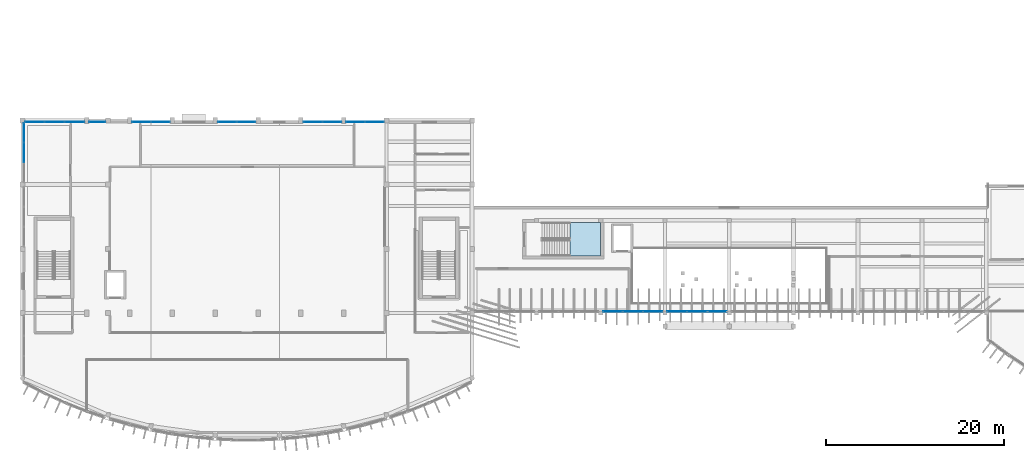
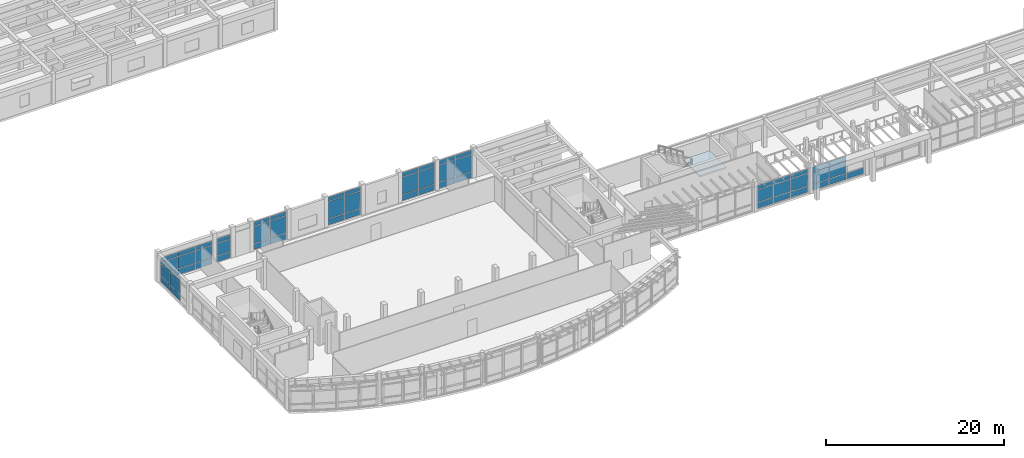
# One storey, part 30 of 60: 58 plates, 1 slab, 10 elements without a shape of their own.
"""IFC4 building model written with IfcOpenShell, lengths in metres."""

from ifc_helpers import new_model, si_unit, direction, frame, origin, origin_2d, place, context, subcontext, project, spatial, polyline, rectangle, outline, extrude, material, layer, layer_set, type_object, element, aggregate, save


model = new_model("IFC4")

# Units and contexts
model_context = context("Model", 3, precision=1e-05, world=origin(), true_north=direction((0.0, 1.0)))
body_context = subcontext(model_context, "Body", "Model", "MODEL_VIEW")
ifc_project = project(units=[si_unit("LENGTHUNIT", "METRE"), si_unit("AREAUNIT", "SQUARE_METRE"), si_unit("VOLUMEUNIT", "CUBIC_METRE"), si_unit("PLANEANGLEUNIT", "RADIAN"), si_unit("MASSUNIT", "GRAM", prefix="KILO")], contexts=[model_context])

# Site, building, storey
site_placement = place(None, origin())
site = spatial("IfcSite", under=ifc_project, at=site_placement, CompositionType="ELEMENT")
building_placement = place(site_placement, origin())
building = spatial("IfcBuilding", under=site, at=building_placement, Name="Brisavento Harbour Community Centre", CompositionType="ELEMENT")
storey_placement = place(building_placement, frame((0.0, 0.0, 4.5)))
storey = spatial("IfcBuildingStorey", under=building, at=storey_placement, Name="L01", CompositionType="ELEMENT", Elevation=4.5)

# Curtain wall, plates
ifc_material_1 = material(Name="Marine-anodised aluminium AW-6063-T6", Category="aluminium")
ifc_layer_1 = layer(ifc_material_1, 0.179931640625, Name="Marine-anodised aluminium AW-6063-T6")
ifc_layer_set_1 = layer_set([ifc_layer_1], Name="Marine-anodised aluminium AW-6063-T6")
curtain_wall_type_1 = type_object("IfcCurtainWallType", Name="CW-SYS-13", PredefinedType="USERDEFINED", material=ifc_layer_set_1)
curtain_wall_1_placement = place(storey_placement, origin())
curtain_wall_1 = element("IfcCurtainWall", 1, at=curtain_wall_1_placement, inside=storey, type_object=curtain_wall_type_1, Name="L01 V1 unitised curtain wall 041", ObjectType="UNITISED CURTAIN WALL", PredefinedType="USERDEFINED")
ifc_material_2 = material(Name="Solar-control laminated low-E glass", Category="glass")
ifc_layer_2 = layer(ifc_material_2, 0.02392578125, Name="Solar-control laminated low-E glass")
ifc_layer_set_2 = layer_set([ifc_layer_2], Name="Solar-control laminated low-E glass")
plate_type_1 = type_object("IfcPlateType", Name="CWP-GLZ-1", PredefinedType="CURTAIN_PANEL", material=ifc_layer_set_2)
plate_1_placement = place(storey_placement, frame((1.393798828125, 35.820068359375, 0.06494140625), z_axis=(0.0, 0.0, 1.0), x_axis=(1.0, 0.0, 0.0)))
plate_1 = element("IfcPlate", 2, at=plate_1_placement, type_object=plate_type_1, Name="CW-13 panel 1.1", PredefinedType="CURTAIN_PANEL", context=body_context, shape_type="SweptSolid", body=[
    extrude(rectangle(XDim=2.137451171875, YDim=0.02392578125, at=origin_2d()), origin(), (0.0, 0.0, 1.0), 0.802490234375),
])
plate_2_placement = place(storey_placement, frame((1.393798828125, 35.820068359375, 0.9326171875), z_axis=(0.0, 0.0, 1.0), x_axis=(1.0, 0.0, 0.0)))
plate_2 = element("IfcPlate", 3, at=plate_2_placement, type_object=plate_type_1, Name="CW-13 panel 1.2", PredefinedType="CURTAIN_PANEL", context=body_context, shape_type="SweptSolid", body=[
    extrude(rectangle(XDim=2.137451171875, YDim=0.02392578125, at=origin_2d()), origin(), (0.0, 0.0, 1.0), 1.635009765625),
])
plate_3_placement = place(storey_placement, frame((1.393798828125, 35.820068359375, 2.63232421875), z_axis=(0.0, 0.0, 1.0), x_axis=(1.0, 0.0, 0.0)))
plate_3 = element("IfcPlate", 4, at=plate_3_placement, type_object=plate_type_1, Name="CW-13 panel 1.3", PredefinedType="CURTAIN_PANEL", context=body_context, shape_type="SweptSolid", body=[
    extrude(rectangle(XDim=2.137451171875, YDim=0.02392578125, at=origin_2d()), origin(), (0.0, 0.0, 1.0), 0.552490234375),
])
plate_4_placement = place(storey_placement, frame((3.612548828125, 35.820068359375, 0.06494140625), z_axis=(0.0, 0.0, 1.0), x_axis=(1.0, 0.0, 0.0)))
plate_4 = element("IfcPlate", 5, at=plate_4_placement, type_object=plate_type_1, Name="CW-13 panel 2.1", PredefinedType="CURTAIN_PANEL", context=body_context, shape_type="SweptSolid", body=[
    extrude(rectangle(XDim=2.169921875, YDim=0.02392578125, at=origin_2d()), origin(), (0.0, 0.0, 1.0), 0.802490234375),
])
plate_5_placement = place(storey_placement, frame((3.612548828125, 35.820068359375, 0.9326171875), z_axis=(0.0, 0.0, 1.0), x_axis=(1.0, 0.0, 0.0)))
plate_5 = element("IfcPlate", 6, at=plate_5_placement, type_object=plate_type_1, Name="CW-13 panel 2.2", PredefinedType="CURTAIN_PANEL", context=body_context, shape_type="SweptSolid", body=[
    extrude(rectangle(XDim=2.169921875, YDim=0.02392578125, at=origin_2d()), origin(), (0.0, 0.0, 1.0), 1.635009765625),
])
plate_6_placement = place(storey_placement, frame((3.612548828125, 35.820068359375, 2.63232421875), z_axis=(0.0, 0.0, 1.0), x_axis=(1.0, 0.0, 0.0)))
plate_6 = element("IfcPlate", 7, at=plate_6_placement, type_object=plate_type_1, Name="CW-13 panel 2.3", PredefinedType="CURTAIN_PANEL", context=body_context, shape_type="SweptSolid", body=[
    extrude(rectangle(XDim=2.169921875, YDim=0.02392578125, at=origin_2d()), origin(), (0.0, 0.0, 1.0), 0.552490234375),
])
plate_7_placement = place(storey_placement, frame((5.831298828125, 35.820068359375, 0.06494140625), z_axis=(0.0, 0.0, 1.0), x_axis=(1.0, 0.0, 0.0)))
plate_7 = element("IfcPlate", 8, at=plate_7_placement, type_object=plate_type_1, Name="CW-13 panel 3.1", PredefinedType="CURTAIN_PANEL", context=body_context, shape_type="SweptSolid", body=[
    extrude(rectangle(XDim=2.137451171875, YDim=0.02392578125, at=origin_2d()), origin(), (0.0, 0.0, 1.0), 0.802490234375),
])
plate_8_placement = place(storey_placement, frame((5.831298828125, 35.820068359375, 0.9326171875), z_axis=(0.0, 0.0, 1.0), x_axis=(1.0, 0.0, 0.0)))
plate_8 = element("IfcPlate", 9, at=plate_8_placement, type_object=plate_type_1, Name="CW-13 panel 3.2", PredefinedType="CURTAIN_PANEL", context=body_context, shape_type="SweptSolid", body=[
    extrude(rectangle(XDim=2.137451171875, YDim=0.02392578125, at=origin_2d()), origin(), (0.0, 0.0, 1.0), 1.635009765625),
])
plate_9_placement = place(storey_placement, frame((5.831298828125, 35.820068359375, 2.63232421875), z_axis=(0.0, 0.0, 1.0), x_axis=(1.0, 0.0, 0.0)))
plate_9 = element("IfcPlate", 10, at=plate_9_placement, type_object=plate_type_1, Name="CW-13 panel 3.3", PredefinedType="CURTAIN_PANEL", context=body_context, shape_type="SweptSolid", body=[
    extrude(rectangle(XDim=2.137451171875, YDim=0.02392578125, at=origin_2d()), origin(), (0.0, 0.0, 1.0), 0.552490234375),
])
aggregate(curtain_wall_1, [plate_1, plate_2, plate_3, plate_4, plate_5, plate_6, plate_7, plate_8, plate_9])

ifc_layer_3 = layer(ifc_material_1, 0.179931640625, Name="Marine-anodised aluminium AW-6063-T6")
ifc_layer_set_3 = layer_set([ifc_layer_3], Name="Marine-anodised aluminium AW-6063-T6")
curtain_wall_type_2 = type_object("IfcCurtainWallType", Name="CW-SYS-18", PredefinedType="USERDEFINED", material=ifc_layer_set_3)
curtain_wall_2_placement = place(storey_placement, origin())
curtain_wall_2 = element("IfcCurtainWall", 11, at=curtain_wall_2_placement, inside=storey, type_object=curtain_wall_type_2, Name="L01 V1 unitised curtain wall 046", ObjectType="UNITISED CURTAIN WALL", PredefinedType="USERDEFINED")
plate_10_placement = place(storey_placement, frame((37.328857421875, 35.820068359375, 0.070068359375), z_axis=(0.0, 0.0, 1.0), x_axis=(1.0, 0.0, 0.0)))
plate_10 = element("IfcPlate", 12, at=plate_10_placement, type_object=plate_type_1, Name="CW-18 panel 1.1", PredefinedType="CURTAIN_PANEL", context=body_context, shape_type="SweptSolid", body=[
    extrude(rectangle(XDim=2.047607421875, YDim=0.02392578125, at=origin_2d()), origin(), (0.0, 0.0, 1.0), 0.794921875),
])
plate_11_placement = place(storey_placement, frame((37.328857421875, 35.820068359375, 0.93505859375), z_axis=(0.0, 0.0, 1.0), x_axis=(1.0, 0.0, 0.0)))
plate_11 = element("IfcPlate", 13, at=plate_11_placement, type_object=plate_type_1, Name="CW-18 panel 1.2", PredefinedType="CURTAIN_PANEL", context=body_context, shape_type="SweptSolid", body=[
    extrude(rectangle(XDim=2.047607421875, YDim=0.02392578125, at=origin_2d()), origin(), (0.0, 0.0, 1.0), 2.330078125),
])
plate_12_placement = place(storey_placement, frame((37.328857421875, 35.820068359375, 3.3349609375), z_axis=(0.0, 0.0, 1.0), x_axis=(1.0, 0.0, 0.0)))
plate_12 = element("IfcPlate", 14, at=plate_12_placement, type_object=plate_type_1, Name="CW-18 panel 1.3", PredefinedType="CURTAIN_PANEL", context=body_context, shape_type="SweptSolid", body=[
    extrude(rectangle(XDim=2.047607421875, YDim=0.02392578125, at=origin_2d()), origin(), (0.0, 0.0, 1.0), 0.544921875),
])
plate_13_placement = place(storey_placement, frame((39.4462890625, 35.820068359375, 0.070068359375), z_axis=(0.0, 0.0, 1.0), x_axis=(1.0, 0.0, 0.0)))
plate_13 = element("IfcPlate", 15, at=plate_13_placement, type_object=plate_type_1, Name="CW-18 panel 2.1", PredefinedType="CURTAIN_PANEL", context=body_context, shape_type="SweptSolid", body=[
    extrude(rectangle(XDim=2.047607421875, YDim=0.02392578125, at=origin_2d()), origin(), (0.0, 0.0, 1.0), 0.794921875),
])
plate_14_placement = place(storey_placement, frame((39.4462890625, 35.820068359375, 0.93505859375), z_axis=(0.0, 0.0, 1.0), x_axis=(1.0, 0.0, 0.0)))
plate_14 = element("IfcPlate", 16, at=plate_14_placement, type_object=plate_type_1, Name="CW-18 panel 2.2", PredefinedType="CURTAIN_PANEL", context=body_context, shape_type="SweptSolid", body=[
    extrude(rectangle(XDim=2.047607421875, YDim=0.02392578125, at=origin_2d()), origin(), (0.0, 0.0, 1.0), 2.330078125),
])
plate_15_placement = place(storey_placement, frame((39.4462890625, 35.820068359375, 3.3349609375), z_axis=(0.0, 0.0, 1.0), x_axis=(1.0, 0.0, 0.0)))
plate_15 = element("IfcPlate", 17, at=plate_15_placement, type_object=plate_type_1, Name="CW-18 panel 2.3", PredefinedType="CURTAIN_PANEL", context=body_context, shape_type="SweptSolid", body=[
    extrude(rectangle(XDim=2.047607421875, YDim=0.02392578125, at=origin_2d()), origin(), (0.0, 0.0, 1.0), 0.544921875),
])
aggregate(curtain_wall_2, [plate_10, plate_11, plate_12, plate_13, plate_14, plate_15])

ifc_layer_4 = layer(ifc_material_1, 0.179931640625, Name="Marine-anodised aluminium AW-6063-T6")
ifc_layer_set_4 = layer_set([ifc_layer_4], Name="Marine-anodised aluminium AW-6063-T6")
curtain_wall_type_3 = type_object("IfcCurtainWallType", Name="CW-SYS-14", PredefinedType="USERDEFINED", material=ifc_layer_set_4)
curtain_wall_3_placement = place(storey_placement, origin())
curtain_wall_3 = element("IfcCurtainWall", 18, at=curtain_wall_3_placement, inside=storey, type_object=curtain_wall_type_3, Name="L01 V1 unitised curtain wall 042", ObjectType="UNITISED CURTAIN WALL", PredefinedType="USERDEFINED")
ifc_layer_5 = layer(ifc_material_2, 0.028076171875, Name="Solar-control laminated low-E glass")
ifc_layer_set_5 = layer_set([ifc_layer_5], Name="Solar-control laminated low-E glass")
plate_type_2 = type_object("IfcPlateType", Name="CWP-GLZ-2", PredefinedType="CURTAIN_PANEL", material=ifc_layer_set_5)
plate_16_placement = place(storey_placement, frame((8.387451171875, 35.820068359375, 0.070068359375), z_axis=(0.0, 0.0, 1.0), x_axis=(1.0, 0.0, 0.0)))
plate_16 = element("IfcPlate", 19, at=plate_16_placement, type_object=plate_type_2, Name="CW-14 panel 1.1", PredefinedType="CURTAIN_PANEL", context=body_context, shape_type="SweptSolid", body=[
    extrude(rectangle(XDim=1.764892578125, YDim=0.028076171875, at=origin_2d()), origin(), (0.0, 0.0, 1.0), 0.794921875),
])
plate_17_placement = place(storey_placement, frame((8.387451171875, 35.820068359375, 0.93505859375), z_axis=(0.0, 0.0, 1.0), x_axis=(1.0, 0.0, 0.0)))
plate_17 = element("IfcPlate", 20, at=plate_17_placement, type_object=plate_type_2, Name="CW-14 panel 1.2", PredefinedType="CURTAIN_PANEL", context=body_context, shape_type="SweptSolid", body=[
    extrude(rectangle(XDim=1.764892578125, YDim=0.028076171875, at=origin_2d()), origin(), (0.0, 0.0, 1.0), 1.679931640625),
])
plate_18_placement = place(storey_placement, frame((8.387451171875, 35.820068359375, 2.68505859375), z_axis=(0.0, 0.0, 1.0), x_axis=(1.0, 0.0, 0.0)))
plate_18 = element("IfcPlate", 21, at=plate_18_placement, type_object=plate_type_2, Name="CW-14 panel 1.3", PredefinedType="CURTAIN_PANEL", context=body_context, shape_type="SweptSolid", body=[
    extrude(rectangle(XDim=1.764892578125, YDim=0.028076171875, at=origin_2d()), origin(), (0.0, 0.0, 1.0), 0.544921875),
])
aggregate(curtain_wall_3, [plate_16, plate_17, plate_18])

ifc_layer_6 = layer(ifc_material_1, 0.179931640625, Name="Marine-anodised aluminium AW-6063-T6")
ifc_layer_set_6 = layer_set([ifc_layer_6], Name="Marine-anodised aluminium AW-6063-T6")
curtain_wall_type_4 = type_object("IfcCurtainWallType", Name="CW-SYS-15", PredefinedType="USERDEFINED", material=ifc_layer_set_6)
curtain_wall_4_placement = place(storey_placement, origin())
curtain_wall_4 = element("IfcCurtainWall", 22, at=curtain_wall_4_placement, inside=storey, type_object=curtain_wall_type_4, Name="L01 V1 unitised curtain wall 043", ObjectType="UNITISED CURTAIN WALL", PredefinedType="USERDEFINED")
ifc_layer_7 = layer(ifc_material_2, 0.031982421875, Name="Solar-control laminated low-E glass")
ifc_layer_set_7 = layer_set([ifc_layer_7], Name="Solar-control laminated low-E glass")
plate_type_3 = type_object("IfcPlateType", Name="CWP-GLZ-3", PredefinedType="CURTAIN_PANEL", material=ifc_layer_set_7)
plate_19_placement = place(storey_placement, frame((13.336181640625, 35.820068359375, 0.074951171875), z_axis=(0.0, 0.0, 1.0), x_axis=(1.0, 0.0, 0.0)))
plate_19 = element("IfcPlate", 23, at=plate_19_placement, type_object=plate_type_3, Name="CW-15 panel 1.1", PredefinedType="CURTAIN_PANEL", context=body_context, shape_type="SweptSolid", body=[
    extrude(rectangle(XDim=2.052490234375, YDim=0.031982421875, at=origin_2d()), origin(), (0.0, 0.0, 1.0), 0.78759765625),
])
plate_20_placement = place(storey_placement, frame((13.336181640625, 35.820068359375, 0.9375), z_axis=(0.0, 0.0, 1.0), x_axis=(1.0, 0.0, 0.0)))
plate_20 = element("IfcPlate", 24, at=plate_20_placement, type_object=plate_type_3, Name="CW-15 panel 1.2", PredefinedType="CURTAIN_PANEL", context=body_context, shape_type="SweptSolid", body=[
    extrude(rectangle(XDim=2.052490234375, YDim=0.031982421875, at=origin_2d()), origin(), (0.0, 0.0, 1.0), 2.324951171875),
])
plate_21_placement = place(storey_placement, frame((13.336181640625, 35.820068359375, 3.33740234375), z_axis=(0.0, 0.0, 1.0), x_axis=(1.0, 0.0, 0.0)))
plate_21 = element("IfcPlate", 25, at=plate_21_placement, type_object=plate_type_3, Name="CW-15 panel 1.3", PredefinedType="CURTAIN_PANEL", context=body_context, shape_type="SweptSolid", body=[
    extrude(rectangle(XDim=2.052490234375, YDim=0.031982421875, at=origin_2d()), origin(), (0.0, 0.0, 1.0), 0.53759765625),
])
plate_22_placement = place(storey_placement, frame((15.4638671875, 35.820068359375, 0.074951171875), z_axis=(0.0, 0.0, 1.0), x_axis=(1.0, 0.0, 0.0)))
plate_22 = element("IfcPlate", 26, at=plate_22_placement, type_object=plate_type_3, Name="CW-15 panel 2.1", PredefinedType="CURTAIN_PANEL", context=body_context, shape_type="SweptSolid", body=[
    extrude(rectangle(XDim=2.052490234375, YDim=0.031982421875, at=origin_2d()), origin(), (0.0, 0.0, 1.0), 0.78759765625),
])
plate_23_placement = place(storey_placement, frame((15.4638671875, 35.820068359375, 0.9375), z_axis=(0.0, 0.0, 1.0), x_axis=(1.0, 0.0, 0.0)))
plate_23 = element("IfcPlate", 27, at=plate_23_placement, type_object=plate_type_3, Name="CW-15 panel 2.2", PredefinedType="CURTAIN_PANEL", context=body_context, shape_type="SweptSolid", body=[
    extrude(rectangle(XDim=2.052490234375, YDim=0.031982421875, at=origin_2d()), origin(), (0.0, 0.0, 1.0), 2.324951171875),
])
plate_24_placement = place(storey_placement, frame((15.4638671875, 35.820068359375, 3.33740234375), z_axis=(0.0, 0.0, 1.0), x_axis=(1.0, 0.0, 0.0)))
plate_24 = element("IfcPlate", 28, at=plate_24_placement, type_object=plate_type_3, Name="CW-15 panel 2.3", PredefinedType="CURTAIN_PANEL", context=body_context, shape_type="SweptSolid", body=[
    extrude(rectangle(XDim=2.052490234375, YDim=0.031982421875, at=origin_2d()), origin(), (0.0, 0.0, 1.0), 0.53759765625),
])
aggregate(curtain_wall_4, [plate_19, plate_20, plate_21, plate_22, plate_23, plate_24])

ifc_layer_8 = layer(ifc_material_1, 0.179931640625, Name="Marine-anodised aluminium AW-6063-T6")
ifc_layer_set_8 = layer_set([ifc_layer_8], Name="Marine-anodised aluminium AW-6063-T6")
curtain_wall_type_5 = type_object("IfcCurtainWallType", Name="CW-SYS-16", PredefinedType="USERDEFINED", material=ifc_layer_set_8)
curtain_wall_5_placement = place(storey_placement, origin())
curtain_wall_5 = element("IfcCurtainWall", 29, at=curtain_wall_5_placement, inside=storey, type_object=curtain_wall_type_5, Name="L01 V1 unitised curtain wall 044", ObjectType="UNITISED CURTAIN WALL", PredefinedType="USERDEFINED")
ifc_layer_9 = layer(ifc_material_2, 0.035888671875, Name="Solar-control laminated low-E glass")
ifc_layer_set_9 = layer_set([ifc_layer_9], Name="Solar-control laminated low-E glass")
plate_type_4 = type_object("IfcPlateType", Name="CWP-GLZ-4", PredefinedType="CURTAIN_PANEL", material=ifc_layer_set_9)
plate_25_placement = place(storey_placement, frame((22.9375, 35.820068359375, 0.080078125), z_axis=(0.0, 0.0, 1.0), x_axis=(1.0, 0.0, 0.0)))
plate_25 = element("IfcPlate", 30, at=plate_25_placement, type_object=plate_type_4, Name="CW-16 panel 1.1", PredefinedType="CURTAIN_PANEL", context=body_context, shape_type="SweptSolid", body=[
    extrude(rectangle(XDim=2.044921875, YDim=0.035888671875, at=origin_2d()), origin(), (0.0, 0.0, 1.0), 0.780029296875),
])
plate_26_placement = place(storey_placement, frame((22.9375, 35.820068359375, 0.93994140625), z_axis=(0.0, 0.0, 1.0), x_axis=(1.0, 0.0, 0.0)))
plate_26 = element("IfcPlate", 31, at=plate_26_placement, type_object=plate_type_4, Name="CW-16 panel 1.2", PredefinedType="CURTAIN_PANEL", context=body_context, shape_type="SweptSolid", body=[
    extrude(rectangle(XDim=2.044921875, YDim=0.035888671875, at=origin_2d()), origin(), (0.0, 0.0, 1.0), 2.320068359375),
])
plate_27_placement = place(storey_placement, frame((22.9375, 35.820068359375, 3.33984375), z_axis=(0.0, 0.0, 1.0), x_axis=(1.0, 0.0, 0.0)))
plate_27 = element("IfcPlate", 32, at=plate_27_placement, type_object=plate_type_4, Name="CW-16 panel 1.3", PredefinedType="CURTAIN_PANEL", context=body_context, shape_type="SweptSolid", body=[
    extrude(rectangle(XDim=2.044921875, YDim=0.035888671875, at=origin_2d()), origin(), (0.0, 0.0, 1.0), 0.530029296875),
])
plate_28_placement = place(storey_placement, frame((25.0625, 35.820068359375, 0.080078125), z_axis=(0.0, 0.0, 1.0), x_axis=(1.0, 0.0, 0.0)))
plate_28 = element("IfcPlate", 33, at=plate_28_placement, type_object=plate_type_4, Name="CW-16 panel 2.1", PredefinedType="CURTAIN_PANEL", context=body_context, shape_type="SweptSolid", body=[
    extrude(rectangle(XDim=2.044921875, YDim=0.035888671875, at=origin_2d()), origin(), (0.0, 0.0, 1.0), 0.780029296875),
])
plate_29_placement = place(storey_placement, frame((25.0625, 35.820068359375, 0.93994140625), z_axis=(0.0, 0.0, 1.0), x_axis=(1.0, 0.0, 0.0)))
plate_29 = element("IfcPlate", 34, at=plate_29_placement, type_object=plate_type_4, Name="CW-16 panel 2.2", PredefinedType="CURTAIN_PANEL", context=body_context, shape_type="SweptSolid", body=[
    extrude(rectangle(XDim=2.044921875, YDim=0.035888671875, at=origin_2d()), origin(), (0.0, 0.0, 1.0), 2.320068359375),
])
plate_30_placement = place(storey_placement, frame((25.0625, 35.820068359375, 3.33984375), z_axis=(0.0, 0.0, 1.0), x_axis=(1.0, 0.0, 0.0)))
plate_30 = element("IfcPlate", 35, at=plate_30_placement, type_object=plate_type_4, Name="CW-16 panel 2.3", PredefinedType="CURTAIN_PANEL", context=body_context, shape_type="SweptSolid", body=[
    extrude(rectangle(XDim=2.044921875, YDim=0.035888671875, at=origin_2d()), origin(), (0.0, 0.0, 1.0), 0.530029296875),
])
aggregate(curtain_wall_5, [plate_25, plate_26, plate_27, plate_28, plate_29, plate_30])

ifc_layer_10 = layer(ifc_material_1, 0.179931640625, Name="Marine-anodised aluminium AW-6063-T6")
ifc_layer_set_10 = layer_set([ifc_layer_10], Name="Marine-anodised aluminium AW-6063-T6")
curtain_wall_type_6 = type_object("IfcCurtainWallType", Name="CW-SYS-21", PredefinedType="USERDEFINED", material=ifc_layer_set_10)
curtain_wall_6_placement = place(storey_placement, origin())
curtain_wall_6 = element("IfcCurtainWall", 36, at=curtain_wall_6_placement, inside=storey, type_object=curtain_wall_type_6, Name="L01 V1 unitised curtain wall 049", ObjectType="UNITISED CURTAIN WALL", PredefinedType="USERDEFINED")
plate_31_placement = place(storey_placement, frame((0.179931640625, 32.39990234375, 0.06494140625), z_axis=(0.0, 0.0, 1.0), x_axis=(0.0, 1.0, 0.0)))
plate_31 = element("IfcPlate", 37, at=plate_31_placement, type_object=plate_type_4, Name="CW-21 panel 2.1", PredefinedType="CURTAIN_PANEL", context=body_context, shape_type="SweptSolid", body=[
    extrude(rectangle(XDim=2.16162109375, YDim=0.035888671875, at=origin_2d()), origin(), (0.0, 0.0, 1.0), 0.802490234375),
])
plate_32_placement = place(storey_placement, frame((0.179931640625, 32.39990234375, 0.932373046875), z_axis=(0.0, 0.0, 1.0), x_axis=(0.0, 1.0, 0.0)))
plate_32 = element("IfcPlate", 38, at=plate_32_placement, type_object=plate_type_4, Name="CW-21 panel 2.2", PredefinedType="CURTAIN_PANEL", context=body_context, shape_type="SweptSolid", body=[
    extrude(rectangle(XDim=2.16162109375, YDim=0.035888671875, at=origin_2d()), origin(), (0.0, 0.0, 1.0), 1.68505859375),
])
plate_33_placement = place(storey_placement, frame((0.179931640625, 32.39990234375, 2.6826171875), z_axis=(0.0, 0.0, 1.0), x_axis=(0.0, 1.0, 0.0)))
plate_33 = element("IfcPlate", 39, at=plate_33_placement, type_object=plate_type_4, Name="CW-21 panel 2.3", PredefinedType="CURTAIN_PANEL", context=body_context, shape_type="SweptSolid", body=[
    extrude(rectangle(XDim=2.16162109375, YDim=0.035888671875, at=origin_2d()), origin(), (0.0, 0.0, 1.0), 0.552490234375),
])
plate_34_placement = place(storey_placement, frame((0.179931640625, 34.6103515625, 0.06494140625), z_axis=(0.0, 0.0, 1.0), x_axis=(0.0, 1.0, 0.0)))
plate_34 = element("IfcPlate", 40, at=plate_34_placement, type_object=plate_type_4, Name="CW-21 panel 3.1", PredefinedType="CURTAIN_PANEL", context=body_context, shape_type="SweptSolid", body=[
    extrude(rectangle(XDim=2.129150390625, YDim=0.035888671875, at=origin_2d()), origin(), (0.0, 0.0, 1.0), 0.802490234375),
])
plate_35_placement = place(storey_placement, frame((0.179931640625, 34.6103515625, 0.932373046875), z_axis=(0.0, 0.0, 1.0), x_axis=(0.0, 1.0, 0.0)))
plate_35 = element("IfcPlate", 41, at=plate_35_placement, type_object=plate_type_4, Name="CW-21 panel 3.2", PredefinedType="CURTAIN_PANEL", context=body_context, shape_type="SweptSolid", body=[
    extrude(rectangle(XDim=2.129150390625, YDim=0.035888671875, at=origin_2d()), origin(), (0.0, 0.0, 1.0), 1.68505859375),
])
plate_36_placement = place(storey_placement, frame((0.179931640625, 34.6103515625, 2.6826171875), z_axis=(0.0, 0.0, 1.0), x_axis=(0.0, 1.0, 0.0)))
plate_36 = element("IfcPlate", 42, at=plate_36_placement, type_object=plate_type_4, Name="CW-21 panel 3.3", PredefinedType="CURTAIN_PANEL", context=body_context, shape_type="SweptSolid", body=[
    extrude(rectangle(XDim=2.129150390625, YDim=0.035888671875, at=origin_2d()), origin(), (0.0, 0.0, 1.0), 0.552490234375),
])
aggregate(curtain_wall_6, [plate_31, plate_32, plate_33, plate_34, plate_35, plate_36])

ifc_layer_11 = layer(ifc_material_1, 0.179931640625, Name="Marine-anodised aluminium AW-6063-T6")
ifc_layer_set_11 = layer_set([ifc_layer_11], Name="Marine-anodised aluminium AW-6063-T6")
curtain_wall_type_7 = type_object("IfcCurtainWallType", Name="CW-SYS-26", PredefinedType="USERDEFINED", material=ifc_layer_set_11)
curtain_wall_7_placement = place(storey_placement, origin())
curtain_wall_7 = element("IfcCurtainWall", 43, at=curtain_wall_7_placement, inside=storey, type_object=curtain_wall_type_7, Name="L01 V2 unitised curtain wall 054", ObjectType="UNITISED CURTAIN WALL", PredefinedType="USERDEFINED")
plate_37_placement = place(storey_placement, frame((77.842529296875, 14.580078125, 0.070068359375), z_axis=(0.0, 0.0, 1.0), x_axis=(-1.0, 0.0, 0.0)))
plate_37 = element("IfcPlate", 44, at=plate_37_placement, type_object=plate_type_4, Name="CW-26 panel 1.1", PredefinedType="CURTAIN_PANEL", context=body_context, shape_type="SweptSolid", body=[
    extrude(rectangle(XDim=2.155029296875, YDim=0.035888671875, at=origin_2d()), origin(), (0.0, 0.0, 1.0), 0.794921875),
])
plate_38_placement = place(storey_placement, frame((75.60009765625, 14.580078125, 0.070068359375), z_axis=(0.0, 0.0, 1.0), x_axis=(-1.0, 0.0, 0.0)))
plate_38 = element("IfcPlate", 45, at=plate_38_placement, type_object=plate_type_4, Name="CW-26 panel 2.1", PredefinedType="CURTAIN_PANEL", context=body_context, shape_type="SweptSolid", body=[
    extrude(rectangle(XDim=2.18994140625, YDim=0.035888671875, at=origin_2d()), origin(), (0.0, 0.0, 1.0), 0.794921875),
])
plate_39_placement = place(storey_placement, frame((75.60009765625, 14.580078125, 0.93505859375), z_axis=(0.0, 0.0, 1.0), x_axis=(-1.0, 0.0, 0.0)))
plate_39 = element("IfcPlate", 46, at=plate_39_placement, type_object=plate_type_4, Name="CW-26 panel 2.2", PredefinedType="CURTAIN_PANEL", context=body_context, shape_type="SweptSolid", body=[
    extrude(rectangle(XDim=2.18994140625, YDim=0.035888671875, at=origin_2d()), origin(), (0.0, 0.0, 1.0), 1.679931640625),
])
plate_40_placement = place(storey_placement, frame((75.60009765625, 14.580078125, 2.68505859375), z_axis=(0.0, 0.0, 1.0), x_axis=(-1.0, 0.0, 0.0)))
plate_40 = element("IfcPlate", 47, at=plate_40_placement, type_object=plate_type_4, Name="CW-26 panel 2.3", PredefinedType="CURTAIN_PANEL", context=body_context, shape_type="SweptSolid", body=[
    extrude(rectangle(XDim=2.18994140625, YDim=0.035888671875, at=origin_2d()), origin(), (0.0, 0.0, 1.0), 0.544921875),
])
plate_41_placement = place(storey_placement, frame((73.357421875, 14.580078125, 0.070068359375), z_axis=(0.0, 0.0, 1.0), x_axis=(-1.0, 0.0, 0.0)))
plate_41 = element("IfcPlate", 48, at=plate_41_placement, type_object=plate_type_4, Name="CW-26 panel 3.1", PredefinedType="CURTAIN_PANEL", context=body_context, shape_type="SweptSolid", body=[
    extrude(rectangle(XDim=2.155029296875, YDim=0.035888671875, at=origin_2d()), origin(), (0.0, 0.0, 1.0), 0.794921875),
])
plate_42_placement = place(storey_placement, frame((73.357421875, 14.580078125, 0.93505859375), z_axis=(0.0, 0.0, 1.0), x_axis=(-1.0, 0.0, 0.0)))
plate_42 = element("IfcPlate", 49, at=plate_42_placement, type_object=plate_type_4, Name="CW-26 panel 3.2", PredefinedType="CURTAIN_PANEL", context=body_context, shape_type="SweptSolid", body=[
    extrude(rectangle(XDim=2.155029296875, YDim=0.035888671875, at=origin_2d()), origin(), (0.0, 0.0, 1.0), 1.679931640625),
])
plate_43_placement = place(storey_placement, frame((73.357421875, 14.580078125, 2.68505859375), z_axis=(0.0, 0.0, 1.0), x_axis=(-1.0, 0.0, 0.0)))
plate_43 = element("IfcPlate", 50, at=plate_43_placement, type_object=plate_type_4, Name="CW-26 panel 3.3", PredefinedType="CURTAIN_PANEL", context=body_context, shape_type="SweptSolid", body=[
    extrude(rectangle(XDim=2.155029296875, YDim=0.035888671875, at=origin_2d()), origin(), (0.0, 0.0, 1.0), 0.544921875),
])
aggregate(curtain_wall_7, [plate_37, plate_38, plate_39, plate_40, plate_41, plate_42, plate_43])

ifc_layer_12 = layer(ifc_material_1, 0.179931640625, Name="Marine-anodised aluminium AW-6063-T6")
ifc_layer_set_12 = layer_set([ifc_layer_12], Name="Marine-anodised aluminium AW-6063-T6")
curtain_wall_type_8 = type_object("IfcCurtainWallType", Name="CW-SYS-17", PredefinedType="USERDEFINED", material=ifc_layer_set_12)
curtain_wall_8_placement = place(storey_placement, origin())
curtain_wall_8 = element("IfcCurtainWall", 51, at=curtain_wall_8_placement, inside=storey, type_object=curtain_wall_type_8, Name="L01 V1 unitised curtain wall 045", ObjectType="UNITISED CURTAIN WALL", PredefinedType="USERDEFINED")
ifc_layer_13 = layer(ifc_material_2, 0.0400390625, Name="Solar-control laminated low-E glass")
ifc_layer_set_13 = layer_set([ifc_layer_13], Name="Solar-control laminated low-E glass")
plate_type_5 = type_object("IfcPlateType", Name="CWP-GLZ-5", PredefinedType="CURTAIN_PANEL", material=ifc_layer_set_13)
plate_44_placement = place(storey_placement, frame((32.53369140625, 35.820068359375, 0.06494140625), z_axis=(0.0, 0.0, 1.0), x_axis=(1.0, 0.0, 0.0)))
plate_44 = element("IfcPlate", 52, at=plate_44_placement, type_object=plate_type_5, Name="CW-17 panel 1.1", PredefinedType="CURTAIN_PANEL", context=body_context, shape_type="SweptSolid", body=[
    extrude(rectangle(XDim=2.0673828125, YDim=0.0400390625, at=origin_2d()), origin(), (0.0, 0.0, 1.0), 0.802490234375),
])
plate_45_placement = place(storey_placement, frame((32.53369140625, 35.820068359375, 0.9326171875), z_axis=(0.0, 0.0, 1.0), x_axis=(1.0, 0.0, 0.0)))
plate_45 = element("IfcPlate", 53, at=plate_45_placement, type_object=plate_type_5, Name="CW-17 panel 1.2", PredefinedType="CURTAIN_PANEL", context=body_context, shape_type="SweptSolid", body=[
    extrude(rectangle(XDim=2.0673828125, YDim=0.0400390625, at=origin_2d()), origin(), (0.0, 0.0, 1.0), 2.3349609375),
])
plate_46_placement = place(storey_placement, frame((32.53369140625, 35.820068359375, 3.33251953125), z_axis=(0.0, 0.0, 1.0), x_axis=(1.0, 0.0, 0.0)))
plate_46 = element("IfcPlate", 54, at=plate_46_placement, type_object=plate_type_5, Name="CW-17 panel 1.3", PredefinedType="CURTAIN_PANEL", context=body_context, shape_type="SweptSolid", body=[
    extrude(rectangle(XDim=2.0673828125, YDim=0.0400390625, at=origin_2d()), origin(), (0.0, 0.0, 1.0), 0.552490234375),
])
plate_47_placement = place(storey_placement, frame((34.666259765625, 35.820068359375, 0.06494140625), z_axis=(0.0, 0.0, 1.0), x_axis=(1.0, 0.0, 0.0)))
plate_47 = element("IfcPlate", 55, at=plate_47_placement, type_object=plate_type_5, Name="CW-17 panel 2.1", PredefinedType="CURTAIN_PANEL", context=body_context, shape_type="SweptSolid", body=[
    extrude(rectangle(XDim=2.0673828125, YDim=0.0400390625, at=origin_2d()), origin(), (0.0, 0.0, 1.0), 0.802490234375),
])
plate_48_placement = place(storey_placement, frame((34.666259765625, 35.820068359375, 0.9326171875), z_axis=(0.0, 0.0, 1.0), x_axis=(1.0, 0.0, 0.0)))
plate_48 = element("IfcPlate", 56, at=plate_48_placement, type_object=plate_type_5, Name="CW-17 panel 2.2", PredefinedType="CURTAIN_PANEL", context=body_context, shape_type="SweptSolid", body=[
    extrude(rectangle(XDim=2.0673828125, YDim=0.0400390625, at=origin_2d()), origin(), (0.0, 0.0, 1.0), 2.3349609375),
])
plate_49_placement = place(storey_placement, frame((34.666259765625, 35.820068359375, 3.33251953125), z_axis=(0.0, 0.0, 1.0), x_axis=(1.0, 0.0, 0.0)))
plate_49 = element("IfcPlate", 57, at=plate_49_placement, type_object=plate_type_5, Name="CW-17 panel 2.3", PredefinedType="CURTAIN_PANEL", context=body_context, shape_type="SweptSolid", body=[
    extrude(rectangle(XDim=2.0673828125, YDim=0.0400390625, at=origin_2d()), origin(), (0.0, 0.0, 1.0), 0.552490234375),
])
aggregate(curtain_wall_8, [plate_44, plate_45, plate_46, plate_47, plate_48, plate_49])

ifc_layer_14 = layer(ifc_material_1, 0.179931640625, Name="Marine-anodised aluminium AW-6063-T6")
ifc_layer_set_14 = layer_set([ifc_layer_14], Name="Marine-anodised aluminium AW-6063-T6")
curtain_wall_type_9 = type_object("IfcCurtainWallType", Name="CW-SYS-27", PredefinedType="USERDEFINED", material=ifc_layer_set_14)
curtain_wall_9_placement = place(storey_placement, origin())
curtain_wall_9 = element("IfcCurtainWall", 58, at=curtain_wall_9_placement, inside=storey, type_object=curtain_wall_type_9, Name="L01 V2 unitised curtain wall 055", ObjectType="UNITISED CURTAIN WALL", PredefinedType="USERDEFINED")
plate_50_placement = place(storey_placement, frame((70.641357421875, 14.580078125, 0.074951171875), z_axis=(0.0, 0.0, 1.0), x_axis=(-1.0, 0.0, 0.0)))
plate_50 = element("IfcPlate", 59, at=plate_50_placement, type_object=plate_type_5, Name="CW-27 panel 1.1", PredefinedType="CURTAIN_PANEL", context=body_context, shape_type="SweptSolid", body=[
    extrude(rectangle(XDim=2.1474609375, YDim=0.0400390625, at=origin_2d()), origin(), (0.0, 0.0, 1.0), 0.78759765625),
])
plate_51_placement = place(storey_placement, frame((70.641357421875, 14.580078125, 0.9375), z_axis=(0.0, 0.0, 1.0), x_axis=(-1.0, 0.0, 0.0)))
plate_51 = element("IfcPlate", 60, at=plate_51_placement, type_object=plate_type_5, Name="CW-27 panel 1.2", PredefinedType="CURTAIN_PANEL", context=body_context, shape_type="SweptSolid", body=[
    extrude(rectangle(XDim=2.1474609375, YDim=0.0400390625, at=origin_2d()), origin(), (0.0, 0.0, 1.0), 1.675048828125),
])
plate_52_placement = place(storey_placement, frame((70.641357421875, 14.580078125, 2.6875), z_axis=(0.0, 0.0, 1.0), x_axis=(-1.0, 0.0, 0.0)))
plate_52 = element("IfcPlate", 61, at=plate_52_placement, type_object=plate_type_5, Name="CW-27 panel 1.3", PredefinedType="CURTAIN_PANEL", context=body_context, shape_type="SweptSolid", body=[
    extrude(rectangle(XDim=2.1474609375, YDim=0.0400390625, at=origin_2d()), origin(), (0.0, 0.0, 1.0), 0.53759765625),
])
plate_53_placement = place(storey_placement, frame((68.39990234375, 14.580078125, 0.074951171875), z_axis=(0.0, 0.0, 1.0), x_axis=(-1.0, 0.0, 0.0)))
plate_53 = element("IfcPlate", 62, at=plate_53_placement, type_object=plate_type_5, Name="CW-27 panel 2.1", PredefinedType="CURTAIN_PANEL", context=body_context, shape_type="SweptSolid", body=[
    extrude(rectangle(XDim=2.18505859375, YDim=0.0400390625, at=origin_2d()), origin(), (0.0, 0.0, 1.0), 0.78759765625),
])
plate_54_placement = place(storey_placement, frame((68.39990234375, 14.580078125, 0.9375), z_axis=(0.0, 0.0, 1.0), x_axis=(-1.0, 0.0, 0.0)))
plate_54 = element("IfcPlate", 63, at=plate_54_placement, type_object=plate_type_5, Name="CW-27 panel 2.2", PredefinedType="CURTAIN_PANEL", context=body_context, shape_type="SweptSolid", body=[
    extrude(rectangle(XDim=2.18505859375, YDim=0.0400390625, at=origin_2d()), origin(), (0.0, 0.0, 1.0), 1.675048828125),
])
plate_55_placement = place(storey_placement, frame((68.39990234375, 14.580078125, 2.6875), z_axis=(0.0, 0.0, 1.0), x_axis=(-1.0, 0.0, 0.0)))
plate_55 = element("IfcPlate", 64, at=plate_55_placement, type_object=plate_type_5, Name="CW-27 panel 2.3", PredefinedType="CURTAIN_PANEL", context=body_context, shape_type="SweptSolid", body=[
    extrude(rectangle(XDim=2.18505859375, YDim=0.0400390625, at=origin_2d()), origin(), (0.0, 0.0, 1.0), 0.53759765625),
])
plate_56_placement = place(storey_placement, frame((66.15869140625, 14.580078125, 0.074951171875), z_axis=(0.0, 0.0, 1.0), x_axis=(-1.0, 0.0, 0.0)))
plate_56 = element("IfcPlate", 65, at=plate_56_placement, type_object=plate_type_5, Name="CW-27 panel 3.1", PredefinedType="CURTAIN_PANEL", context=body_context, shape_type="SweptSolid", body=[
    extrude(rectangle(XDim=2.1474609375, YDim=0.0400390625, at=origin_2d()), origin(), (0.0, 0.0, 1.0), 0.78759765625),
])
plate_57_placement = place(storey_placement, frame((66.15869140625, 14.580078125, 0.9375), z_axis=(0.0, 0.0, 1.0), x_axis=(-1.0, 0.0, 0.0)))
plate_57 = element("IfcPlate", 66, at=plate_57_placement, type_object=plate_type_5, Name="CW-27 panel 3.2", PredefinedType="CURTAIN_PANEL", context=body_context, shape_type="SweptSolid", body=[
    extrude(rectangle(XDim=2.1474609375, YDim=0.0400390625, at=origin_2d()), origin(), (0.0, 0.0, 1.0), 1.675048828125),
])
plate_58_placement = place(storey_placement, frame((66.15869140625, 14.580078125, 2.6875), z_axis=(0.0, 0.0, 1.0), x_axis=(-1.0, 0.0, 0.0)))
plate_58 = element("IfcPlate", 67, at=plate_58_placement, type_object=plate_type_5, Name="CW-27 panel 3.3", PredefinedType="CURTAIN_PANEL", context=body_context, shape_type="SweptSolid", body=[
    extrude(rectangle(XDim=2.1474609375, YDim=0.0400390625, at=origin_2d()), origin(), (0.0, 0.0, 1.0), 0.53759765625),
])
aggregate(curtain_wall_9, [plate_50, plate_51, plate_52, plate_53, plate_54, plate_55, plate_56, plate_57, plate_58])

# Stair, slab
ifc_material_3 = material(Name="Concrete C35/45", Category="concrete")
stair_type = type_object("IfcStairType", Name="STR-DL-4200", PredefinedType="HALF_TURN_STAIR", material=ifc_material_3)
stair_placement = place(storey_placement, origin())
stair = element("IfcStair", 68, at=stair_placement, inside=storey, type_object=stair_type, Name="L01 ST-03", PredefinedType="HALF_TURN_STAIR")
ifc_layer_15 = layer(ifc_material_3, 0.199951171875, Name="Concrete C35/45")
ifc_layer_set_15 = layer_set([ifc_layer_15], Name="Concrete C35/45")
slab_type = type_object("IfcSlabType", Name="SLB-LND-200", PredefinedType="LANDING", material=ifc_layer_set_15)
slab_placement = place(storey_placement, frame((0.0, 0.0, 1.89990234375)))
slab = element("IfcSlab", 69, at=slab_placement, type_object=slab_type, Name="ST-03 landing 1", PredefinedType="LANDING", context=body_context, shape_type="SweptSolid", body=[
    extrude(outline(polyline([(61.3349609375, 20.800048828125), (64.800048828125, 20.800048828125), (64.800048828125, 24.550048828125), (61.3349609375, 24.550048828125), (61.3349609375, 20.800048828125)])), origin(), (0.0, 0.0, 1.0), 0.2001953125),
])
aggregate(stair, [slab])

save(model, "model.ifc")
